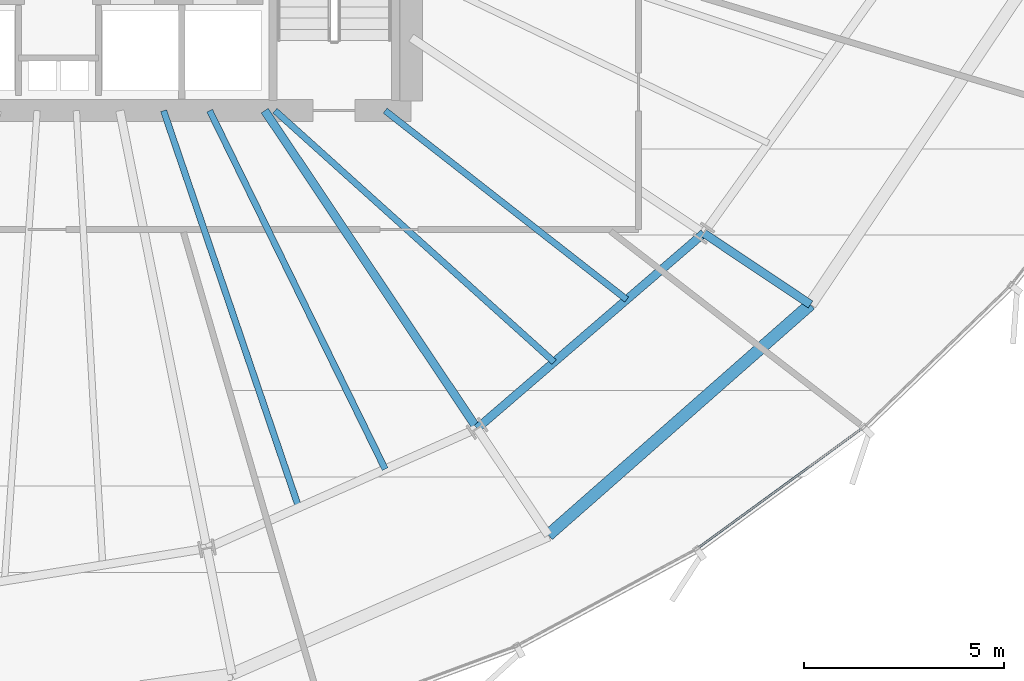
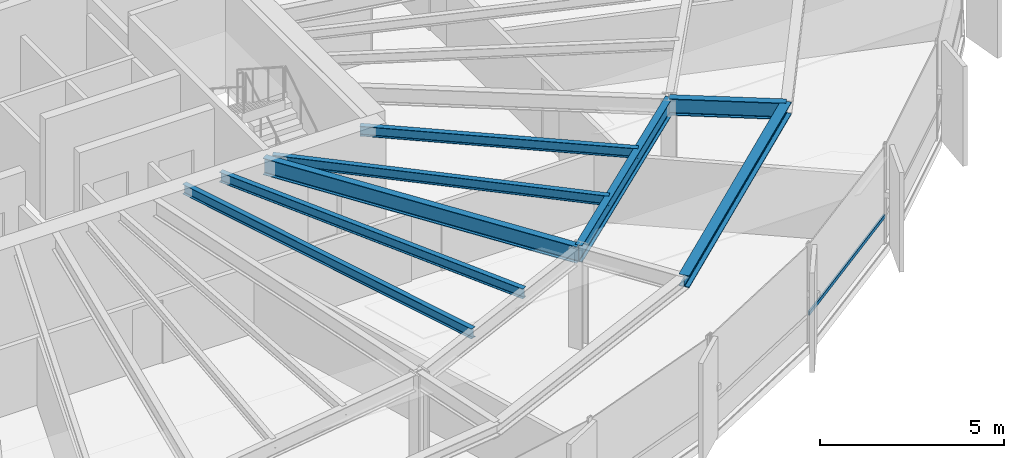
# One storey, part 12 of 35: 8 beams, 1 member, 1 element without a shape of its own.
"""IFC4 building model written with IfcOpenShell, lengths in metres."""

from ifc_helpers import new_model, si_unit, direction, frame, origin, origin_2d, place, context, subcontext, project, spatial, hollow_rectangle, i_section, extrude, source, transform, mapped, material, layer, layer_set, material_profile, profile_set, type_object, element, aggregate, save


model = new_model("IFC4")

# Units and contexts
model_context = context("Model", 3, precision=1e-05, world=origin(), true_north=direction((0.0, 1.0)))
body_context = subcontext(model_context, "Body", "Model", "MODEL_VIEW")
ifc_project = project(units=[si_unit("LENGTHUNIT", "METRE"), si_unit("AREAUNIT", "SQUARE_METRE"), si_unit("VOLUMEUNIT", "CUBIC_METRE"), si_unit("PLANEANGLEUNIT", "RADIAN"), si_unit("MASSUNIT", "GRAM", prefix="KILO"), si_unit("THERMODYNAMICTEMPERATUREUNIT", "KELVIN")], contexts=[model_context])

# Site, building, storey
site_placement = place(None, origin())
site = spatial("IfcSite", under=ifc_project, at=site_placement, CompositionType="ELEMENT")
building_placement = place(site_placement, origin())
building = spatial("IfcBuilding", under=site, at=building_placement, Name="Kethvar Cultural Tower", CompositionType="ELEMENT")
storey_placement = place(building_placement, frame((0.0, 0.0, 100.0)))
storey = spatial("IfcBuildingStorey", under=building, at=storey_placement, Name="L24", CompositionType="ELEMENT", Elevation=100.0)

# Beams
ifc_material_1 = material(Name="Steel S355J2", Category="steel")
ifc_material_profile_1 = material_profile(ifc_material_1, i_section(OverallWidth=0.2099609375, OverallDepth=0.550048828125, WebThickness=0.010986328125, FlangeThickness=0.01708984375, FilletRadius=0.02392578125, at=origin_2d()), Name="Steel S355J2 — IPE550")
ifc_profile_set_1 = profile_set([ifc_material_profile_1], Name="Steel S355J2 — IPE550")
beam_type_1 = type_object("IfcBeamType", Name="BM-IPE550", PredefinedType="BEAM", material=ifc_profile_set_1)
shared_shape_1 = source(origin(), body_context, "Body", "SweptSolid", [
    extrude(i_section(OverallWidth=0.2099609375, OverallDepth=0.550048828125, WebThickness=0.010986328125, FlangeThickness=0.01708984375, FilletRadius=0.02392578125, at=origin_2d()), origin(), (0.0, 0.0, 1.0), 3.199951171875),
])
beam_1_placement = place(storey_placement, frame((62.898681640625, 17.043212890625, 3.072998046875), z_axis=(0.831462943996, -0.555580212716, 0.0), x_axis=(0.555580212716, 0.831462943996, 0.0)))
element("IfcBeam", 1, at=beam_1_placement, inside=storey, type_object=beam_type_1, Name="L24 Perimeter Cantilever Beam RC-15", PredefinedType="BEAM", context=body_context, shape_type="MappedRepresentation", body=[
    mapped(shared_shape_1, transform((0.0, 0.0, 0.0), scale=1.0)),
])
shared_shape_2 = source(origin(), body_context, "Body", "SweptSolid", [
    extrude(i_section(OverallWidth=0.2099609375, OverallDepth=0.550048828125, WebThickness=0.010986328125, FlangeThickness=0.01708984375, FilletRadius=0.02392578125, at=origin_2d()), origin(), (0.0, 0.0, 1.0), 9.534423828125),
])
beam_2_placement = place(storey_placement, frame((51.945068359375, 20.10009765625, 3.072998046875), z_axis=(0.555550817894, -0.831482584747, 0.0), x_axis=(0.831482584747, 0.555550817894, 0.0)))
element("IfcBeam", 2, at=beam_2_placement, inside=storey, type_object=beam_type_1, Name="L24 Primary Radial Beam RB-14", PredefinedType="BEAM", context=body_context, shape_type="MappedRepresentation", body=[
    mapped(shared_shape_2, transform((0.0, 0.0, 0.0), scale=1.0)),
])
ifc_material_profile_2 = material_profile(ifc_material_1, i_section(OverallWidth=0.159912109375, OverallDepth=0.330078125, WebThickness=0.007568359375, FlangeThickness=0.011474609375, FilletRadius=0.01806640625, at=origin_2d()), Name="Steel S355J2 — IPE330")
ifc_profile_set_2 = profile_set([ifc_material_profile_2], Name="Steel S355J2 — IPE330")
beam_type_2 = type_object("IfcBeamType", Name="BM-J330", PredefinedType="JOIST", material=ifc_profile_set_2)
shared_shape_3 = source(origin(), body_context, "Body", "SweptSolid", [
    extrude(i_section(OverallWidth=0.159912109375, OverallDepth=0.330078125, WebThickness=0.007568359375, FlangeThickness=0.011474609375, FilletRadius=0.01806640625, at=origin_2d()), origin(), (0.0, 0.0, 1.0), 10.45947265625),
])
beam_3_placement = place(storey_placement, frame((49.42236328125, 20.10009765625, 3.18310546875), z_axis=(0.322390188368, -0.94660687006, 0.0), x_axis=(0.94660687006, 0.322390188368, 0.0)))
element("IfcBeam", 3, at=beam_3_placement, inside=storey, type_object=beam_type_2, Name="L24 Composite Floor Joist J-13A", PredefinedType="JOIST", context=body_context, shape_type="MappedRepresentation", body=[
    mapped(shared_shape_3, transform((0.0, 0.0, 0.0), scale=1.0)),
])
shared_shape_4 = source(origin(), body_context, "Body", "SweptSolid", [
    extrude(i_section(OverallWidth=0.159912109375, OverallDepth=0.330078125, WebThickness=0.007568359375, FlangeThickness=0.011474609375, FilletRadius=0.01806640625, at=origin_2d()), origin(), (0.0, 0.0, 1.0), 9.959228515625),
])
beam_4_placement = place(storey_placement, frame((50.57080078125, 20.10009765625, 3.18310546875), z_axis=(0.439785134514, -0.898103020516, 0.0), x_axis=(0.898103020516, 0.439785134514, 0.0)))
element("IfcBeam", 4, at=beam_4_placement, inside=storey, type_object=beam_type_2, Name="L24 Composite Floor Joist J-13B", PredefinedType="JOIST", context=body_context, shape_type="MappedRepresentation", body=[
    mapped(shared_shape_4, transform((0.0, 0.0, 0.0), scale=1.0)),
])
shared_shape_5 = source(origin(), body_context, "Body", "SweptSolid", [
    extrude(i_section(OverallWidth=0.2099609375, OverallDepth=0.550048828125, WebThickness=0.010986328125, FlangeThickness=0.01708984375, FilletRadius=0.02392578125, at=origin_2d()), origin(), (0.0, 0.0, 1.0), 7.46484375),
])
beam_5_placement = place(storey_placement, frame((57.241943359375, 12.17236328125, 3.072998046875), z_axis=(0.757784075291, 0.652505398625, 0.0), x_axis=(-0.652505398625, 0.757784075291, 0.0)))
element("IfcBeam", 5, at=beam_5_placement, inside=storey, type_object=beam_type_1, Name="L24 Column Ring Tie Beam CR-14", PredefinedType="BEAM", context=body_context, shape_type="MappedRepresentation", body=[
    mapped(shared_shape_5, transform((0.0, 0.0, 0.0), scale=1.0)),
])
ifc_material_profile_3 = material_profile(ifc_material_1, i_section(OverallWidth=0.300048828125, OverallDepth=0.39990234375, WebThickness=0.013427734375, FlangeThickness=0.02392578125, FilletRadius=0.027099609375, at=origin_2d()), Name="Steel S355J2 — HEB400")
ifc_profile_set_3 = profile_set([ifc_material_profile_3], Name="Steel S355J2 — HEB400")
beam_type_3 = type_object("IfcBeamType", Name="BM-SP400", PredefinedType="SPANDREL", material=ifc_profile_set_3)
shared_shape_6 = source(origin(), body_context, "Body", "SweptSolid", [
    extrude(i_section(OverallWidth=0.300048828125, OverallDepth=0.39990234375, WebThickness=0.013427734375, FlangeThickness=0.02392578125, FilletRadius=0.027099609375, at=origin_2d()), origin(), (0.0, 0.0, 1.0), 8.71044921875),
])
beam_6_placement = place(storey_placement, frame((59.019775390625, 9.51171875, 3.14794921875), z_axis=(0.75077856833, 0.660553965498, 0.0), x_axis=(-0.660553965498, 0.75077856833, 0.0)))
element("IfcBeam", 6, at=beam_6_placement, inside=storey, type_object=beam_type_3, Name="L24 Perimeter Spandrel Beam SP-14", PredefinedType="SPANDREL", context=body_context, shape_type="MappedRepresentation", body=[
    mapped(shared_shape_6, transform((0.0, 0.0, 0.0), scale=1.0)),
])
shared_shape_7 = source(origin(), body_context, "Body", "SweptSolid", [
    extrude(i_section(OverallWidth=0.159912109375, OverallDepth=0.330078125, WebThickness=0.007568359375, FlangeThickness=0.011474609375, FilletRadius=0.01806640625, at=origin_2d()), origin(), (0.0, 0.0, 1.0), 9.372802734375),
])
beam_7_placement = place(storey_placement, frame((52.199951171875, 20.10009765625, 3.18310546875), z_axis=(0.743151656479, -0.669123019685, 0.0), x_axis=(0.669123019685, 0.743151656479, 0.0)))
element("IfcBeam", 7, at=beam_7_placement, inside=storey, type_object=beam_type_2, Name="L24 Composite Floor Joist J-14A", PredefinedType="JOIST", context=body_context, shape_type="MappedRepresentation", body=[
    mapped(shared_shape_7, transform((0.0, 0.0, 0.0), scale=1.0)),
])
shared_shape_8 = source(origin(), body_context, "Body", "SweptSolid", [
    extrude(i_section(OverallWidth=0.159912109375, OverallDepth=0.330078125, WebThickness=0.007568359375, FlangeThickness=0.011474609375, FilletRadius=0.01806640625, at=origin_2d()), origin(), (0.0, 0.0, 1.0), 7.649658203125),
])
beam_8_placement = place(storey_placement, frame((54.949951171875, 20.10009765625, 3.18310546875), z_axis=(0.787671994752, -0.616094821179, 0.0), x_axis=(0.616094821179, 0.787671994752, 0.0)))
element("IfcBeam", 8, at=beam_8_placement, inside=storey, type_object=beam_type_2, Name="L24 Composite Floor Joist J-14B", PredefinedType="JOIST", context=body_context, shape_type="MappedRepresentation", body=[
    mapped(shared_shape_8, transform((0.0, 0.0, 0.0), scale=1.0)),
])

# Curtain wall, member
ifc_material_2 = material(Name="Aluminium 6063-T6", Category="aluminium")
ifc_layer = layer(ifc_material_2, 0.179931640625, Name="Aluminium 6063-T6", Category="aluminium")
ifc_layer_set = layer_set([ifc_layer], Name="Aluminium 6063-T6 (180 mm)")
curtain_wall_type = type_object("IfcCurtainWallType", Name="CW-SYS-03-Z2", PredefinedType="NOTDEFINED", material=ifc_layer_set)
curtain_wall_placement = place(storey_placement, origin())
curtain_wall = element("IfcCurtainWall", 9, at=curtain_wall_placement, inside=storey, type_object=curtain_wall_type, Name="L24 Curtain Wall Run 06", PredefinedType="NOTDEFINED")
ifc_material_profile_4 = material_profile(ifc_material_2, hollow_rectangle(XDim=0.054931640625, YDim=0.1201171875, WallThickness=0.00390625, at=origin_2d()), Name="Aluminium 6063-T6 — RHS120x55x4")
ifc_profile_set_4 = profile_set([ifc_material_profile_4], Name="Aluminium 6063-T6 — RHS120x55x4")
member_type = type_object("IfcMemberType", Name="CW-SYS-03-Z2-TRN", PredefinedType="USERDEFINED", material=ifc_profile_set_4)
shared_shape_9 = source(origin(), body_context, "Body", "SweptSolid", [
    extrude(hollow_rectangle(XDim=0.054931640625, YDim=0.1201171875, WallThickness=0.00390625, at=origin_2d()), origin(), (0.0, 0.0, 1.0), 5.0849609375),
])
member_placement = place(storey_placement, frame((62.755859375, 9.19140625, 0.949951171875), z_axis=(0.808050384235, 0.589113381733, 0.0), x_axis=(-0.589113381733, 0.808050384235, 0.0)))
member = element("IfcMember", 10, at=member_placement, type_object=member_type, Name="CW-L24-R06 Transom 2", ObjectType="TRANSOM", PredefinedType="USERDEFINED", context=body_context, shape_type="MappedRepresentation", body=[
    mapped(shared_shape_9, transform((0.0, 0.0, 0.0), scale=1.0)),
])
aggregate(curtain_wall, [member])

save(model, "model.ifc")
